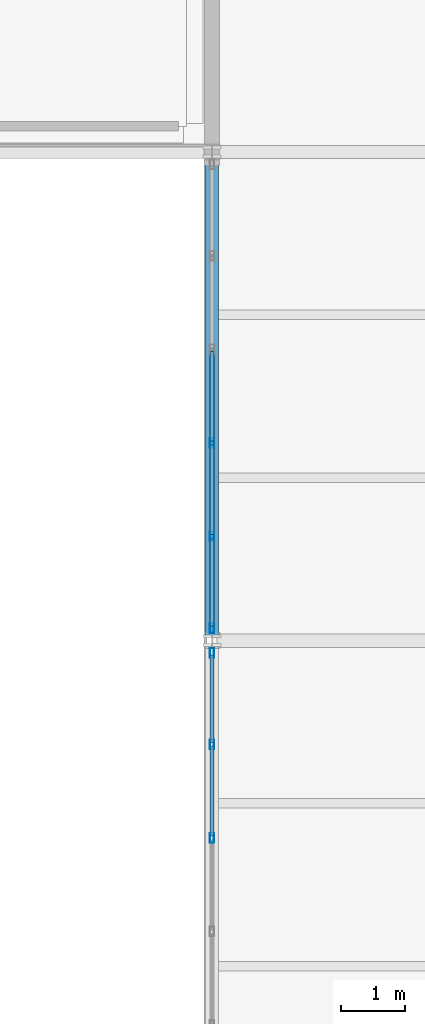
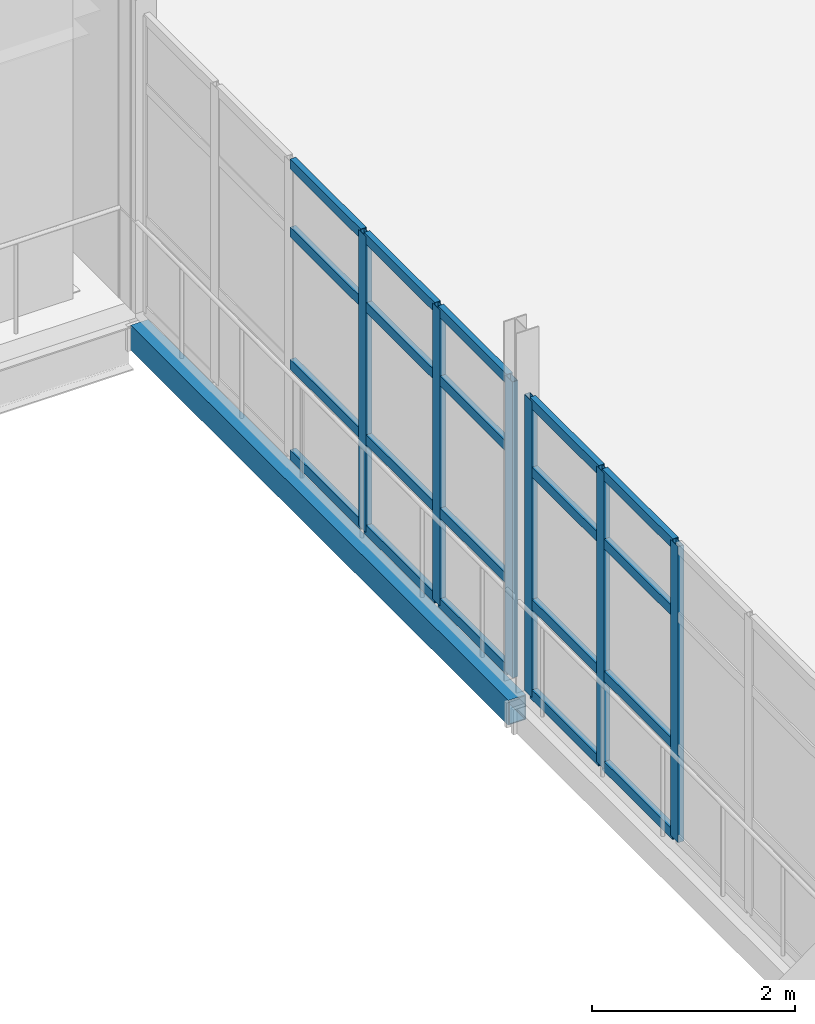
# One storey, part 22 of 48: 26 members, 1 beam, 2 elements without a shape of their own.
"""IFC4 building model written with IfcOpenShell, lengths in metres."""

from ifc_helpers import new_model, si_unit, direction, frame, origin, origin_2d, place, context, subcontext, project, spatial, hollow_rectangle, extrude, material, material_profile, profile_set, type_object, element, aggregate, save


model = new_model("IFC4")

# Units and contexts
model_context = context("Model", 3, precision=1e-05, world=origin(), true_north=direction((0.0, 1.0)))
body_context = subcontext(model_context, "Body", "Model", "MODEL_VIEW")
ifc_project = project(units=[si_unit("LENGTHUNIT", "METRE"), si_unit("AREAUNIT", "SQUARE_METRE"), si_unit("VOLUMEUNIT", "CUBIC_METRE"), si_unit("PLANEANGLEUNIT", "RADIAN"), si_unit("MASSUNIT", "GRAM", prefix="KILO")], contexts=[model_context])

# Site, building, storey
site_placement = place(None, origin())
site = spatial("IfcSite", under=ifc_project, at=site_placement, CompositionType="ELEMENT")
building_placement = place(site_placement, origin())
building = spatial("IfcBuilding", under=site, at=building_placement, Name="Caisbarro Railhouse Central Library", CompositionType="ELEMENT")
storey_placement = place(building_placement, frame((0.0, 0.0, 18.0)))
storey = spatial("IfcBuildingStorey", under=building, at=storey_placement, Name="L04", CompositionType="ELEMENT", Elevation=18.0)

# Beam
ifc_material_1 = material(Name="Steel ASTM A572 Grade 50", Category="steel")
ifc_material_profile_1 = material_profile(ifc_material_1, hollow_rectangle(XDim=0.199951171875, YDim=0.300048828125, WallThickness=0.012451171875, at=origin_2d()), Name="HSS300X200X12.5")
ifc_profile_set_1 = profile_set([ifc_material_profile_1], Name="Steel ASTM A572 Grade 50")
beam_type = type_object("IfcBeamType", Name="BM-SP02", PredefinedType="SPANDREL", material=ifc_profile_set_1)
beam_placement = place(storey_placement, frame((144.0, 83.679931640625, -0.3701171875), z_axis=(0.0, 1.0, 0.0), x_axis=(-1.0, 0.0, 0.0)))
element("IfcBeam", 1, at=beam_placement, inside=storey, type_object=beam_type, Name="SP02 beam L04 #2112", PredefinedType="SPANDREL", context=body_context, shape_type="SweptSolid", body=[
    extrude(hollow_rectangle(XDim=0.199951171875, YDim=0.300048828125, WallThickness=0.012451171875, at=origin_2d()), origin(), (0.0, 0.0, 1.0), 7.440185546875),
])

# Curtain wall, members
ifc_material_2 = material(Name="Anodised architectural aluminium", Category="aluminium")
curtain_wall_type = type_object("IfcCurtainWallType", Name="CW-CW03", PredefinedType="NOTDEFINED", material=ifc_material_2)
curtain_wall_1_placement = place(storey_placement, origin())
curtain_wall_1 = element("IfcCurtainWall", 2, at=curtain_wall_1_placement, inside=storey, type_object=curtain_wall_type, Name="CW03 curtain wall L04 #163", PredefinedType="NOTDEFINED")
ifc_material_profile_2 = material_profile(ifc_material_2, hollow_rectangle(XDim=0.06494140625, YDim=0.14990234375, WallThickness=0.00390625, at=origin_2d()), Name="ALU-MUL-65X150")
ifc_profile_set_2 = profile_set([ifc_material_profile_2], Name="Anodised architectural aluminium")
member_type_1 = type_object("IfcMemberType", Name="CWM-M02", PredefinedType="MULLION", material=ifc_profile_set_2)
member_1_placement = place(storey_placement, frame((144.0, 80.528076171875, 0.0), z_axis=(0.0, 0.0, 1.0), x_axis=(-1.0, 0.0, 0.0)))
member_1 = element("IfcMember", 3, at=member_1_placement, type_object=member_type_1, Name="CW03 mullion 4", PredefinedType="MULLION", context=body_context, shape_type="SweptSolid", body=[
    extrude(hollow_rectangle(XDim=0.06494140625, YDim=0.14990234375, WallThickness=0.00390625, at=origin_2d()), origin(), (0.0, 0.0, 1.0), 3.56005859375),
])
member_2_placement = place(storey_placement, frame((144.0, 81.98388671875, 0.0), z_axis=(0.0, 0.0, 1.0), x_axis=(-1.0, 0.0, 0.0)))
member_2 = element("IfcMember", 4, at=member_2_placement, type_object=member_type_1, Name="CW03 mullion 5", PredefinedType="MULLION", context=body_context, shape_type="SweptSolid", body=[
    extrude(hollow_rectangle(XDim=0.06494140625, YDim=0.14990234375, WallThickness=0.00390625, at=origin_2d()), origin(), (0.0, 0.0, 1.0), 3.56005859375),
])
member_3_placement = place(storey_placement, frame((144.0, 83.407470703125, 0.0), z_axis=(0.0, 0.0, 1.0), x_axis=(-1.0, 0.0, 0.0)))
member_3 = element("IfcMember", 5, at=member_3_placement, type_object=member_type_1, Name="CW03 mullion 6", PredefinedType="MULLION", context=body_context, shape_type="SweptSolid", body=[
    extrude(hollow_rectangle(XDim=0.06494140625, YDim=0.14990234375, WallThickness=0.00390625, at=origin_2d()), origin(), (0.0, 0.0, 1.0), 3.56005859375),
])

curtain_wall_2_placement = place(storey_placement, origin())
curtain_wall_2 = element("IfcCurtainWall", 6, at=curtain_wall_2_placement, inside=storey, type_object=curtain_wall_type, Name="CW03 curtain wall L04 #164", PredefinedType="NOTDEFINED")
member_4_placement = place(storey_placement, frame((144.0, 83.79248046875, 0.0), z_axis=(0.0, 0.0, 1.0), x_axis=(-1.0, 0.0, 0.0)))
member_4 = element("IfcMember", 7, at=member_4_placement, type_object=member_type_1, Name="CW03 mullion 1", PredefinedType="MULLION", context=body_context, shape_type="SweptSolid", body=[
    extrude(hollow_rectangle(XDim=0.06494140625, YDim=0.14990234375, WallThickness=0.00390625, at=origin_2d()), origin(), (0.0, 0.0, 1.0), 3.56005859375),
])
member_5_placement = place(storey_placement, frame((144.0, 85.216064453125, 0.0), z_axis=(0.0, 0.0, 1.0), x_axis=(-1.0, 0.0, 0.0)))
member_5 = element("IfcMember", 8, at=member_5_placement, type_object=member_type_1, Name="CW03 mullion 2", PredefinedType="MULLION", context=body_context, shape_type="SweptSolid", body=[
    extrude(hollow_rectangle(XDim=0.06494140625, YDim=0.14990234375, WallThickness=0.00390625, at=origin_2d()), origin(), (0.0, 0.0, 1.0), 3.56005859375),
])
member_6_placement = place(storey_placement, frame((144.0, 86.672119140625, 0.0), z_axis=(0.0, 0.0, 1.0), x_axis=(-1.0, 0.0, 0.0)))
member_6 = element("IfcMember", 9, at=member_6_placement, type_object=member_type_1, Name="CW03 mullion 3", PredefinedType="MULLION", context=body_context, shape_type="SweptSolid", body=[
    extrude(hollow_rectangle(XDim=0.06494140625, YDim=0.14990234375, WallThickness=0.00390625, at=origin_2d()), origin(), (0.0, 0.0, 1.0), 3.56005859375),
])

# Member
ifc_material_profile_3 = material_profile(ifc_material_2, hollow_rectangle(XDim=0.06494140625, YDim=0.1201171875, WallThickness=0.00341796875, at=origin_2d()), Name="ALU-TRN-65X120")
ifc_profile_set_3 = profile_set([ifc_material_profile_3], Name="Anodised architectural aluminium")
member_type_2 = type_object("IfcMemberType", Name="CWT-T02", PredefinedType="USERDEFINED", material=ifc_profile_set_3)
member_7_placement = place(storey_placement, frame((144.0, 80.560546875, 0.032470703125), z_axis=(0.0, 1.0, 0.0), x_axis=(-1.0, 0.0, 0.0)))
member_7 = element("IfcMember", 10, at=member_7_placement, type_object=member_type_2, Name="CW03 transom 4.1", ObjectType="TRANSOM", PredefinedType="USERDEFINED", context=body_context, shape_type="SweptSolid", body=[
    extrude(hollow_rectangle(XDim=0.06494140625, YDim=0.1201171875, WallThickness=0.00341796875, at=origin_2d()), origin(), (0.0, 0.0, 1.0), 1.390869140625),
])

member_8_placement = place(storey_placement, frame((144.0, 80.560546875, 1.1201171875), z_axis=(0.0, 1.0, 0.0), x_axis=(-1.0, 0.0, 0.0)))
member_8 = element("IfcMember", 11, at=member_8_placement, type_object=member_type_2, Name="CW03 transom 4.2", ObjectType="TRANSOM", PredefinedType="USERDEFINED", context=body_context, shape_type="SweptSolid", body=[
    extrude(hollow_rectangle(XDim=0.06494140625, YDim=0.1201171875, WallThickness=0.00341796875, at=origin_2d()), origin(), (0.0, 0.0, 1.0), 1.390869140625),
])

member_9_placement = place(storey_placement, frame((144.0, 80.560546875, 2.7099609375), z_axis=(0.0, 1.0, 0.0), x_axis=(-1.0, 0.0, 0.0)))
member_9 = element("IfcMember", 12, at=member_9_placement, type_object=member_type_2, Name="CW03 transom 4.3", ObjectType="TRANSOM", PredefinedType="USERDEFINED", context=body_context, shape_type="SweptSolid", body=[
    extrude(hollow_rectangle(XDim=0.06494140625, YDim=0.1201171875, WallThickness=0.00341796875, at=origin_2d()), origin(), (0.0, 0.0, 1.0), 1.390869140625),
])

member_10_placement = place(storey_placement, frame((144.0, 80.560546875, 3.527587890625), z_axis=(0.0, 1.0, 0.0), x_axis=(-1.0, 0.0, 0.0)))
member_10 = element("IfcMember", 13, at=member_10_placement, type_object=member_type_2, Name="CW03 transom 4.4", ObjectType="TRANSOM", PredefinedType="USERDEFINED", context=body_context, shape_type="SweptSolid", body=[
    extrude(hollow_rectangle(XDim=0.06494140625, YDim=0.1201171875, WallThickness=0.00341796875, at=origin_2d()), origin(), (0.0, 0.0, 1.0), 1.390869140625),
])

member_11_placement = place(storey_placement, frame((144.0, 82.0166015625, 0.032470703125), z_axis=(0.0, 1.0, 0.0), x_axis=(-1.0, 0.0, 0.0)))
member_11 = element("IfcMember", 14, at=member_11_placement, type_object=member_type_2, Name="CW03 transom 5.1", ObjectType="TRANSOM", PredefinedType="USERDEFINED", context=body_context, shape_type="SweptSolid", body=[
    extrude(hollow_rectangle(XDim=0.06494140625, YDim=0.1201171875, WallThickness=0.00341796875, at=origin_2d()), origin(), (0.0, 0.0, 1.0), 1.3583984375),
])

member_12_placement = place(storey_placement, frame((144.0, 82.0166015625, 1.1201171875), z_axis=(0.0, 1.0, 0.0), x_axis=(-1.0, 0.0, 0.0)))
member_12 = element("IfcMember", 15, at=member_12_placement, type_object=member_type_2, Name="CW03 transom 5.2", ObjectType="TRANSOM", PredefinedType="USERDEFINED", context=body_context, shape_type="SweptSolid", body=[
    extrude(hollow_rectangle(XDim=0.06494140625, YDim=0.1201171875, WallThickness=0.00341796875, at=origin_2d()), origin(), (0.0, 0.0, 1.0), 1.3583984375),
])

member_13_placement = place(storey_placement, frame((144.0, 82.0166015625, 2.7099609375), z_axis=(0.0, 1.0, 0.0), x_axis=(-1.0, 0.0, 0.0)))
member_13 = element("IfcMember", 16, at=member_13_placement, type_object=member_type_2, Name="CW03 transom 5.3", ObjectType="TRANSOM", PredefinedType="USERDEFINED", context=body_context, shape_type="SweptSolid", body=[
    extrude(hollow_rectangle(XDim=0.06494140625, YDim=0.1201171875, WallThickness=0.00341796875, at=origin_2d()), origin(), (0.0, 0.0, 1.0), 1.3583984375),
])

member_14_placement = place(storey_placement, frame((144.0, 82.0166015625, 3.527587890625), z_axis=(0.0, 1.0, 0.0), x_axis=(-1.0, 0.0, 0.0)))
member_14 = element("IfcMember", 17, at=member_14_placement, type_object=member_type_2, Name="CW03 transom 5.4", ObjectType="TRANSOM", PredefinedType="USERDEFINED", context=body_context, shape_type="SweptSolid", body=[
    extrude(hollow_rectangle(XDim=0.06494140625, YDim=0.1201171875, WallThickness=0.00341796875, at=origin_2d()), origin(), (0.0, 0.0, 1.0), 1.3583984375),
])

aggregate(curtain_wall_1, [member_1, member_2, member_3, member_7, member_8, member_9, member_10, member_11, member_12, member_13, member_14])

member_15_placement = place(storey_placement, frame((144.0, 83.824951171875, 0.032470703125), z_axis=(0.0, 1.0, 0.0), x_axis=(-1.0, 0.0, 0.0)))
member_15 = element("IfcMember", 18, at=member_15_placement, type_object=member_type_2, Name="CW03 transom 1.1", ObjectType="TRANSOM", PredefinedType="USERDEFINED", context=body_context, shape_type="SweptSolid", body=[
    extrude(hollow_rectangle(XDim=0.06494140625, YDim=0.1201171875, WallThickness=0.00341796875, at=origin_2d()), origin(), (0.0, 0.0, 1.0), 1.358642578125),
])

member_16_placement = place(storey_placement, frame((144.0, 83.824951171875, 1.1201171875), z_axis=(0.0, 1.0, 0.0), x_axis=(-1.0, 0.0, 0.0)))
member_16 = element("IfcMember", 19, at=member_16_placement, type_object=member_type_2, Name="CW03 transom 1.2", ObjectType="TRANSOM", PredefinedType="USERDEFINED", context=body_context, shape_type="SweptSolid", body=[
    extrude(hollow_rectangle(XDim=0.06494140625, YDim=0.1201171875, WallThickness=0.00341796875, at=origin_2d()), origin(), (0.0, 0.0, 1.0), 1.358642578125),
])

member_17_placement = place(storey_placement, frame((144.0, 83.824951171875, 2.7099609375), z_axis=(0.0, 1.0, 0.0), x_axis=(-1.0, 0.0, 0.0)))
member_17 = element("IfcMember", 20, at=member_17_placement, type_object=member_type_2, Name="CW03 transom 1.3", ObjectType="TRANSOM", PredefinedType="USERDEFINED", context=body_context, shape_type="SweptSolid", body=[
    extrude(hollow_rectangle(XDim=0.06494140625, YDim=0.1201171875, WallThickness=0.00341796875, at=origin_2d()), origin(), (0.0, 0.0, 1.0), 1.358642578125),
])

member_18_placement = place(storey_placement, frame((144.0, 83.824951171875, 3.527587890625), z_axis=(0.0, 1.0, 0.0), x_axis=(-1.0, 0.0, 0.0)))
member_18 = element("IfcMember", 21, at=member_18_placement, type_object=member_type_2, Name="CW03 transom 1.4", ObjectType="TRANSOM", PredefinedType="USERDEFINED", context=body_context, shape_type="SweptSolid", body=[
    extrude(hollow_rectangle(XDim=0.06494140625, YDim=0.1201171875, WallThickness=0.00341796875, at=origin_2d()), origin(), (0.0, 0.0, 1.0), 1.358642578125),
])

member_19_placement = place(storey_placement, frame((144.0, 85.24853515625, 0.032470703125), z_axis=(0.0, 1.0, 0.0), x_axis=(-1.0, 0.0, 0.0)))
member_19 = element("IfcMember", 22, at=member_19_placement, type_object=member_type_2, Name="CW03 transom 2.1", ObjectType="TRANSOM", PredefinedType="USERDEFINED", context=body_context, shape_type="SweptSolid", body=[
    extrude(hollow_rectangle(XDim=0.06494140625, YDim=0.1201171875, WallThickness=0.00341796875, at=origin_2d()), origin(), (0.0, 0.0, 1.0), 1.390869140625),
])

member_20_placement = place(storey_placement, frame((144.0, 85.24853515625, 1.1201171875), z_axis=(0.0, 1.0, 0.0), x_axis=(-1.0, 0.0, 0.0)))
member_20 = element("IfcMember", 23, at=member_20_placement, type_object=member_type_2, Name="CW03 transom 2.2", ObjectType="TRANSOM", PredefinedType="USERDEFINED", context=body_context, shape_type="SweptSolid", body=[
    extrude(hollow_rectangle(XDim=0.06494140625, YDim=0.1201171875, WallThickness=0.00341796875, at=origin_2d()), origin(), (0.0, 0.0, 1.0), 1.390869140625),
])

member_21_placement = place(storey_placement, frame((144.0, 85.24853515625, 2.7099609375), z_axis=(0.0, 1.0, 0.0), x_axis=(-1.0, 0.0, 0.0)))
member_21 = element("IfcMember", 24, at=member_21_placement, type_object=member_type_2, Name="CW03 transom 2.3", ObjectType="TRANSOM", PredefinedType="USERDEFINED", context=body_context, shape_type="SweptSolid", body=[
    extrude(hollow_rectangle(XDim=0.06494140625, YDim=0.1201171875, WallThickness=0.00341796875, at=origin_2d()), origin(), (0.0, 0.0, 1.0), 1.390869140625),
])

member_22_placement = place(storey_placement, frame((144.0, 85.24853515625, 3.527587890625), z_axis=(0.0, 1.0, 0.0), x_axis=(-1.0, 0.0, 0.0)))
member_22 = element("IfcMember", 25, at=member_22_placement, type_object=member_type_2, Name="CW03 transom 2.4", ObjectType="TRANSOM", PredefinedType="USERDEFINED", context=body_context, shape_type="SweptSolid", body=[
    extrude(hollow_rectangle(XDim=0.06494140625, YDim=0.1201171875, WallThickness=0.00341796875, at=origin_2d()), origin(), (0.0, 0.0, 1.0), 1.390869140625),
])

member_23_placement = place(storey_placement, frame((144.0, 86.70458984375, 0.032470703125), z_axis=(0.0, 1.0, 0.0), x_axis=(-1.0, 0.0, 0.0)))
member_23 = element("IfcMember", 26, at=member_23_placement, type_object=member_type_2, Name="CW03 transom 3.1", ObjectType="TRANSOM", PredefinedType="USERDEFINED", context=body_context, shape_type="SweptSolid", body=[
    extrude(hollow_rectangle(XDim=0.06494140625, YDim=0.1201171875, WallThickness=0.00341796875, at=origin_2d()), origin(), (0.0, 0.0, 1.0), 1.390869140625),
])

member_24_placement = place(storey_placement, frame((144.0, 86.70458984375, 1.1201171875), z_axis=(0.0, 1.0, 0.0), x_axis=(-1.0, 0.0, 0.0)))
member_24 = element("IfcMember", 27, at=member_24_placement, type_object=member_type_2, Name="CW03 transom 3.2", ObjectType="TRANSOM", PredefinedType="USERDEFINED", context=body_context, shape_type="SweptSolid", body=[
    extrude(hollow_rectangle(XDim=0.06494140625, YDim=0.1201171875, WallThickness=0.00341796875, at=origin_2d()), origin(), (0.0, 0.0, 1.0), 1.390869140625),
])

member_25_placement = place(storey_placement, frame((144.0, 86.70458984375, 2.7099609375), z_axis=(0.0, 1.0, 0.0), x_axis=(-1.0, 0.0, 0.0)))
member_25 = element("IfcMember", 28, at=member_25_placement, type_object=member_type_2, Name="CW03 transom 3.3", ObjectType="TRANSOM", PredefinedType="USERDEFINED", context=body_context, shape_type="SweptSolid", body=[
    extrude(hollow_rectangle(XDim=0.06494140625, YDim=0.1201171875, WallThickness=0.00341796875, at=origin_2d()), origin(), (0.0, 0.0, 1.0), 1.390869140625),
])

member_26_placement = place(storey_placement, frame((144.0, 86.70458984375, 3.527587890625), z_axis=(0.0, 1.0, 0.0), x_axis=(-1.0, 0.0, 0.0)))
member_26 = element("IfcMember", 29, at=member_26_placement, type_object=member_type_2, Name="CW03 transom 3.4", ObjectType="TRANSOM", PredefinedType="USERDEFINED", context=body_context, shape_type="SweptSolid", body=[
    extrude(hollow_rectangle(XDim=0.06494140625, YDim=0.1201171875, WallThickness=0.00341796875, at=origin_2d()), origin(), (0.0, 0.0, 1.0), 1.390869140625),
])

aggregate(curtain_wall_2, [member_4, member_5, member_6, member_15, member_16, member_17, member_18, member_19, member_20, member_21, member_22, member_23, member_24, member_25, member_26])

save(model, "model.ifc")
